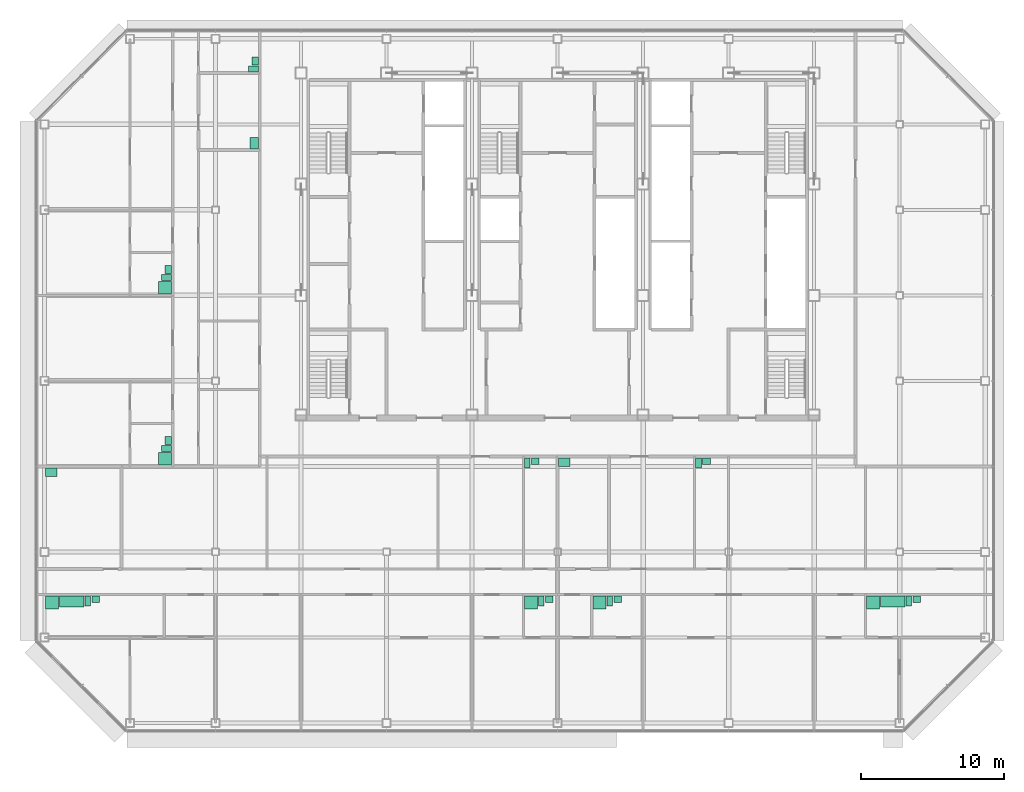
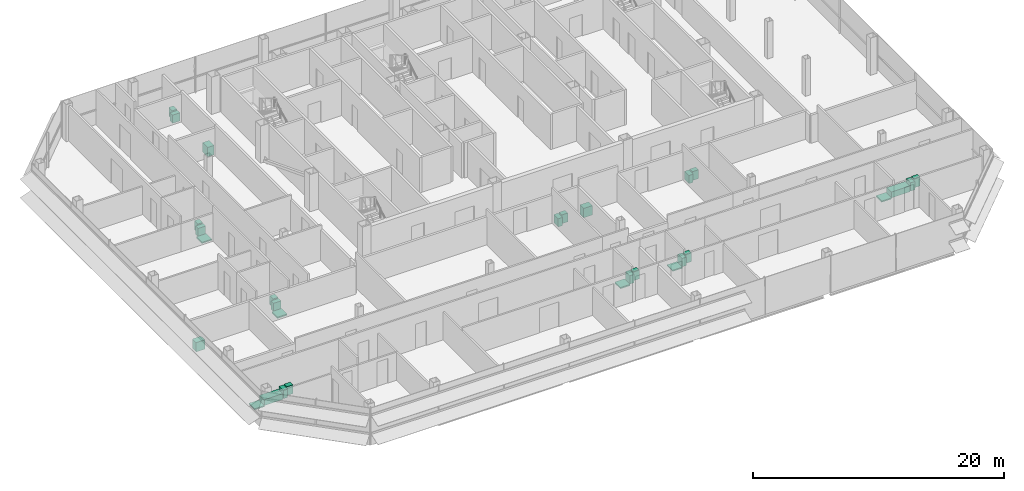
# One storey, part 28 of 28: 29 sanitary terminals.
"""IFC4 building model written with IfcOpenShell, lengths in metres."""

from ifc_helpers import new_model, si_unit, direction, frame, origin, origin_2d, place, context, subcontext, project, spatial, rectangle, extrude, element, save


model = new_model("IFC4")

# Units and contexts
model_context = context("Model", 3, precision=1e-05, world=origin(), true_north=direction((0.0, 1.0)))
body_context = subcontext(model_context, "Body", "Model", "MODEL_VIEW")
ifc_project = project(units=[si_unit("LENGTHUNIT", "METRE"), si_unit("AREAUNIT", "SQUARE_METRE"), si_unit("VOLUMEUNIT", "CUBIC_METRE"), si_unit("PLANEANGLEUNIT", "RADIAN"), si_unit("MASSUNIT", "GRAM", prefix="KILO")], contexts=[model_context])

# Site, building, storey
site_placement = place(None, origin())
site = spatial("IfcSite", under=ifc_project, at=site_placement, CompositionType="ELEMENT")
building_placement = place(site_placement, origin())
building = spatial("IfcBuilding", under=site, at=building_placement, Name="Sorahane Residences", CompositionType="ELEMENT")
storey_placement = place(building_placement, frame((0.0, 0.0, 266.60009765625)))
storey = spatial("IfcBuildingStorey", under=building, at=storey_placement, Name="L63", CompositionType="ELEMENT", Elevation=266.60009765625)

# Sanitary terminals
sanitary_terminal_1_placement = place(storey_placement, frame((-11.469970703125, 8.449951171875, -0.000244140625), z_axis=(0.0, 0.0, 1.0), x_axis=(1.0, 0.0, 0.0)))
element("IfcSanitaryTerminal", 1, at=sanitary_terminal_1_placement, inside=storey, Name="Shower tray En-suite bathroom 63A", PredefinedType="SHOWER", context=body_context, shape_type="SweptSolid", body=[
    extrude(rectangle(XDim=0.89990234375, YDim=0.89990234375, at=origin_2d()), origin(), (0.0, 0.0, 1.0), 0.1201171875),
])
sanitary_terminal_2_placement = place(storey_placement, frame((-10.090087890625, 8.52490234375, -0.000244140625), z_axis=(0.0, 0.0, 1.0), x_axis=(1.0, 0.0, 0.0)))
element("IfcSanitaryTerminal", 2, at=sanitary_terminal_2_placement, inside=storey, Name="Bath En-suite bathroom 63A", PredefinedType="BATH", context=body_context, shape_type="SweptSolid", body=[
    extrude(rectangle(XDim=1.699951171875, YDim=0.75, at=origin_2d()), origin(), (0.0, 0.0, 1.0), 0.56005859375),
])
sanitary_terminal_3_placement = place(storey_placement, frame((-8.9599609375, 8.550048828125, 0.0), z_axis=(0.0, 0.0, 1.0), x_axis=(1.0, 0.0, 0.0)))
element("IfcSanitaryTerminal", 3, at=sanitary_terminal_3_placement, inside=storey, Name="WC pan En-suite bathroom 63A", PredefinedType="TOILETPAN", context=body_context, shape_type="SweptSolid", body=[
    extrude(rectangle(XDim=0.39990234375, YDim=0.699951171875, at=origin_2d()), origin(), (0.0, 0.0, 1.0), 0.800048828125),
])
sanitary_terminal_4_placement = place(storey_placement, frame((-8.405029296875, 8.675048828125, -0.000244140625), z_axis=(0.0, 0.0, 1.0), x_axis=(1.0, 0.0, 0.0)))
element("IfcSanitaryTerminal", 4, at=sanitary_terminal_4_placement, inside=storey, Name="Wash basin En-suite bathroom 63A", PredefinedType="WASHHANDBASIN", context=body_context, shape_type="SweptSolid", body=[
    extrude(rectangle(XDim=0.550048828125, YDim=0.449951171875, at=origin_2d()), origin(), (0.0, 0.0, 1.0), 0.85009765625),
])
sanitary_terminal_5_placement = place(storey_placement, frame((22.1298828125, 8.449951171875, -0.000244140625), z_axis=(0.0, 0.0, 1.0), x_axis=(1.0, 0.0, 0.0)))
element("IfcSanitaryTerminal", 5, at=sanitary_terminal_5_placement, inside=storey, Name="Shower tray En-suite bathroom 63A-2", PredefinedType="SHOWER", context=body_context, shape_type="SweptSolid", body=[
    extrude(rectangle(XDim=0.89990234375, YDim=0.89990234375, at=origin_2d()), origin(), (0.0, 0.0, 1.0), 0.1201171875),
])
sanitary_terminal_6_placement = place(storey_placement, frame((22.860107421875, 8.550048828125, 0.0), z_axis=(0.0, 0.0, 1.0), x_axis=(1.0, 0.0, 0.0)))
element("IfcSanitaryTerminal", 6, at=sanitary_terminal_6_placement, inside=storey, Name="WC pan En-suite bathroom 63A-2", PredefinedType="TOILETPAN", context=body_context, shape_type="SweptSolid", body=[
    extrude(rectangle(XDim=0.39990234375, YDim=0.699951171875, at=origin_2d()), origin(), (0.0, 0.0, 1.0), 0.800048828125),
])
sanitary_terminal_7_placement = place(storey_placement, frame((23.4150390625, 8.675048828125, -0.000244140625), z_axis=(0.0, 0.0, 1.0), x_axis=(1.0, 0.0, 0.0)))
element("IfcSanitaryTerminal", 7, at=sanitary_terminal_7_placement, inside=storey, Name="Wash basin En-suite bathroom 63A-2", PredefinedType="WASHHANDBASIN", context=body_context, shape_type="SweptSolid", body=[
    extrude(rectangle(XDim=0.550048828125, YDim=0.449951171875, at=origin_2d()), origin(), (0.0, 0.0, 1.0), 0.85009765625),
])
sanitary_terminal_8_placement = place(storey_placement, frame((-11.52001953125, 17.60009765625, 0.0), z_axis=(0.0, 0.0, 1.0), x_axis=(1.0, 0.0, 0.0)))
element("IfcSanitaryTerminal", 8, at=sanitary_terminal_8_placement, inside=storey, Name="Kitchen sink Kitchen 63A", PredefinedType="SINK", context=body_context, shape_type="SweptSolid", body=[
    extrude(rectangle(XDim=0.800048828125, YDim=0.60009765625, at=origin_2d()), origin(), (0.0, 0.0, 1.0), 0.89990234375),
])
sanitary_terminal_9_placement = place(storey_placement, frame((21.8798828125, 18.25, 0.0), z_axis=(0.0, 0.0, 1.0), x_axis=(1.0, 0.0, 0.0)))
element("IfcSanitaryTerminal", 9, at=sanitary_terminal_9_placement, inside=storey, Name="WC pan Guest WC 63A", PredefinedType="TOILETPAN", context=body_context, shape_type="SweptSolid", body=[
    extrude(rectangle(XDim=0.39990234375, YDim=0.699951171875, at=origin_2d()), origin(), (0.0, 0.0, 1.0), 0.800048828125),
])
sanitary_terminal_10_placement = place(storey_placement, frame((22.43505859375, 18.375, -0.000244140625), z_axis=(0.0, 0.0, 1.0), x_axis=(1.0, 0.0, 0.0)))
element("IfcSanitaryTerminal", 10, at=sanitary_terminal_10_placement, inside=storey, Name="Wash basin Guest WC 63A", PredefinedType="WASHHANDBASIN", context=body_context, shape_type="SweptSolid", body=[
    extrude(rectangle(XDim=0.550048828125, YDim=0.449951171875, at=origin_2d()), origin(), (0.0, 0.0, 1.0), 0.85009765625),
])
sanitary_terminal_11_placement = place(storey_placement, frame((26.929931640625, 8.449951171875, -0.000244140625), z_axis=(0.0, 0.0, 1.0), x_axis=(1.0, 0.0, 0.0)))
element("IfcSanitaryTerminal", 11, at=sanitary_terminal_11_placement, inside=storey, Name="Shower tray En-suite bathroom 63B", PredefinedType="SHOWER", context=body_context, shape_type="SweptSolid", body=[
    extrude(rectangle(XDim=0.89990234375, YDim=0.89990234375, at=origin_2d()), origin(), (0.0, 0.0, 1.0), 0.1201171875),
])
sanitary_terminal_12_placement = place(storey_placement, frame((27.659912109375, 8.550048828125, 0.0), z_axis=(0.0, 0.0, 1.0), x_axis=(1.0, 0.0, 0.0)))
element("IfcSanitaryTerminal", 12, at=sanitary_terminal_12_placement, inside=storey, Name="WC pan En-suite bathroom 63B", PredefinedType="TOILETPAN", context=body_context, shape_type="SweptSolid", body=[
    extrude(rectangle(XDim=0.39990234375, YDim=0.699951171875, at=origin_2d()), origin(), (0.0, 0.0, 1.0), 0.800048828125),
])
sanitary_terminal_13_placement = place(storey_placement, frame((28.215087890625, 8.675048828125, -0.000244140625), z_axis=(0.0, 0.0, 1.0), x_axis=(1.0, 0.0, 0.0)))
element("IfcSanitaryTerminal", 13, at=sanitary_terminal_13_placement, inside=storey, Name="Wash basin En-suite bathroom 63B", PredefinedType="WASHHANDBASIN", context=body_context, shape_type="SweptSolid", body=[
    extrude(rectangle(XDim=0.550048828125, YDim=0.449951171875, at=origin_2d()), origin(), (0.0, 0.0, 1.0), 0.85009765625),
])
sanitary_terminal_14_placement = place(storey_placement, frame((46.1298828125, 8.449951171875, -0.000244140625), z_axis=(0.0, 0.0, 1.0), x_axis=(1.0, 0.0, 0.0)))
element("IfcSanitaryTerminal", 14, at=sanitary_terminal_14_placement, inside=storey, Name="Shower tray En-suite bathroom 63B-2", PredefinedType="SHOWER", context=body_context, shape_type="SweptSolid", body=[
    extrude(rectangle(XDim=0.89990234375, YDim=0.89990234375, at=origin_2d()), origin(), (0.0, 0.0, 1.0), 0.1201171875),
])
sanitary_terminal_15_placement = place(storey_placement, frame((47.510009765625, 8.52490234375, -0.000244140625), z_axis=(0.0, 0.0, 1.0), x_axis=(1.0, 0.0, 0.0)))
element("IfcSanitaryTerminal", 15, at=sanitary_terminal_15_placement, inside=storey, Name="Bath En-suite bathroom 63B-2", PredefinedType="BATH", context=body_context, shape_type="SweptSolid", body=[
    extrude(rectangle(XDim=1.699951171875, YDim=0.75, at=origin_2d()), origin(), (0.0, 0.0, 1.0), 0.56005859375),
])
sanitary_terminal_16_placement = place(storey_placement, frame((48.639892578125, 8.550048828125, 0.0), z_axis=(0.0, 0.0, 1.0), x_axis=(1.0, 0.0, 0.0)))
element("IfcSanitaryTerminal", 16, at=sanitary_terminal_16_placement, inside=storey, Name="WC pan En-suite bathroom 63B-2", PredefinedType="TOILETPAN", context=body_context, shape_type="SweptSolid", body=[
    extrude(rectangle(XDim=0.39990234375, YDim=0.699951171875, at=origin_2d()), origin(), (0.0, 0.0, 1.0), 0.800048828125),
])
sanitary_terminal_17_placement = place(storey_placement, frame((49.195068359375, 8.675048828125, -0.000244140625), z_axis=(0.0, 0.0, 1.0), x_axis=(1.0, 0.0, 0.0)))
element("IfcSanitaryTerminal", 17, at=sanitary_terminal_17_placement, inside=storey, Name="Wash basin En-suite bathroom 63B-2", PredefinedType="WASHHANDBASIN", context=body_context, shape_type="SweptSolid", body=[
    extrude(rectangle(XDim=0.550048828125, YDim=0.449951171875, at=origin_2d()), origin(), (0.0, 0.0, 1.0), 0.85009765625),
])
sanitary_terminal_18_placement = place(storey_placement, frame((24.47998046875, 18.300048828125, 0.0), z_axis=(0.0, 0.0, 1.0), x_axis=(1.0, 0.0, 0.0)))
element("IfcSanitaryTerminal", 18, at=sanitary_terminal_18_placement, inside=storey, Name="Kitchen sink Kitchen 63B", PredefinedType="SINK", context=body_context, shape_type="SweptSolid", body=[
    extrude(rectangle(XDim=0.800048828125, YDim=0.60009765625, at=origin_2d()), origin(), (0.0, 0.0, 1.0), 0.89990234375),
])
sanitary_terminal_19_placement = place(storey_placement, frame((33.8798828125, 18.25, 0.0), z_axis=(0.0, 0.0, 1.0), x_axis=(1.0, 0.0, 0.0)))
element("IfcSanitaryTerminal", 19, at=sanitary_terminal_19_placement, inside=storey, Name="WC pan Guest WC 63B", PredefinedType="TOILETPAN", context=body_context, shape_type="SweptSolid", body=[
    extrude(rectangle(XDim=0.39990234375, YDim=0.699951171875, at=origin_2d()), origin(), (0.0, 0.0, 1.0), 0.800048828125),
])
sanitary_terminal_20_placement = place(storey_placement, frame((34.43505859375, 18.375, -0.000244140625), z_axis=(0.0, 0.0, 1.0), x_axis=(1.0, 0.0, 0.0)))
element("IfcSanitaryTerminal", 20, at=sanitary_terminal_20_placement, inside=storey, Name="Wash basin Guest WC 63B", PredefinedType="WASHHANDBASIN", context=body_context, shape_type="SweptSolid", body=[
    extrude(rectangle(XDim=0.550048828125, YDim=0.449951171875, at=origin_2d()), origin(), (0.0, 0.0, 1.0), 0.85009765625),
])
sanitary_terminal_21_placement = place(storey_placement, frame((-3.550048828125, 18.530029296875, -0.000244140625), z_axis=(0.0, 0.0, 1.0), x_axis=(0.0, -1.0, 0.0)))
element("IfcSanitaryTerminal", 21, at=sanitary_terminal_21_placement, inside=storey, Name="Shower tray En-suite bathroom 63C", PredefinedType="SHOWER", context=body_context, shape_type="SweptSolid", body=[
    extrude(rectangle(XDim=0.89990234375, YDim=0.89990234375, at=origin_2d()), origin(), (0.0, 0.0, 1.0), 0.1201171875),
])
sanitary_terminal_22_placement = place(storey_placement, frame((-3.449951171875, 19.260009765625, 0.0), z_axis=(0.0, 0.0, 1.0), x_axis=(0.0, -1.0, 0.0)))
element("IfcSanitaryTerminal", 22, at=sanitary_terminal_22_placement, inside=storey, Name="WC pan En-suite bathroom 63C", PredefinedType="TOILETPAN", context=body_context, shape_type="SweptSolid", body=[
    extrude(rectangle(XDim=0.39990234375, YDim=0.699951171875, at=origin_2d()), origin(), (0.0, 0.0, 1.0), 0.800048828125),
])
sanitary_terminal_23_placement = place(storey_placement, frame((-3.324951171875, 19.81494140625, -0.000244140625), z_axis=(0.0, 0.0, 1.0), x_axis=(0.0, -1.0, 0.0)))
element("IfcSanitaryTerminal", 23, at=sanitary_terminal_23_placement, inside=storey, Name="Wash basin En-suite bathroom 63C", PredefinedType="WASHHANDBASIN", context=body_context, shape_type="SweptSolid", body=[
    extrude(rectangle(XDim=0.550048828125, YDim=0.449951171875, at=origin_2d()), origin(), (0.0, 0.0, 1.0), 0.85009765625),
])
sanitary_terminal_24_placement = place(storey_placement, frame((-3.550048828125, 30.530029296875, -0.000244140625), z_axis=(0.0, 0.0, 1.0), x_axis=(0.0, -1.0, 0.0)))
element("IfcSanitaryTerminal", 24, at=sanitary_terminal_24_placement, inside=storey, Name="Shower tray En-suite bathroom 63C-2", PredefinedType="SHOWER", context=body_context, shape_type="SweptSolid", body=[
    extrude(rectangle(XDim=0.89990234375, YDim=0.89990234375, at=origin_2d()), origin(), (0.0, 0.0, 1.0), 0.1201171875),
])
sanitary_terminal_25_placement = place(storey_placement, frame((-3.449951171875, 31.260009765625, 0.0), z_axis=(0.0, 0.0, 1.0), x_axis=(0.0, -1.0, 0.0)))
element("IfcSanitaryTerminal", 25, at=sanitary_terminal_25_placement, inside=storey, Name="WC pan En-suite bathroom 63C-2", PredefinedType="TOILETPAN", context=body_context, shape_type="SweptSolid", body=[
    extrude(rectangle(XDim=0.39990234375, YDim=0.699951171875, at=origin_2d()), origin(), (0.0, 0.0, 1.0), 0.800048828125),
])
sanitary_terminal_26_placement = place(storey_placement, frame((-3.324951171875, 31.81494140625, -0.000244140625), z_axis=(0.0, 0.0, 1.0), x_axis=(0.0, -1.0, 0.0)))
element("IfcSanitaryTerminal", 26, at=sanitary_terminal_26_placement, inside=storey, Name="Wash basin En-suite bathroom 63C-2", PredefinedType="WASHHANDBASIN", context=body_context, shape_type="SweptSolid", body=[
    extrude(rectangle(XDim=0.550048828125, YDim=0.449951171875, at=origin_2d()), origin(), (0.0, 0.0, 1.0), 0.85009765625),
])
sanitary_terminal_27_placement = place(storey_placement, frame((2.699951171875, 40.679931640625, 0.0), z_axis=(0.0, 0.0, 1.0), x_axis=(0.0, -1.0, 0.0)))
element("IfcSanitaryTerminal", 27, at=sanitary_terminal_27_placement, inside=storey, Name="Kitchen sink Kitchen 63C", PredefinedType="SINK", context=body_context, shape_type="SweptSolid", body=[
    extrude(rectangle(XDim=0.800048828125, YDim=0.60009765625, at=origin_2d()), origin(), (0.0, 0.0, 1.0), 0.89990234375),
])
sanitary_terminal_28_placement = place(storey_placement, frame((2.64990234375, 45.8798828125, 0.0), z_axis=(0.0, 0.0, 1.0), x_axis=(0.0, -1.0, 0.0)))
element("IfcSanitaryTerminal", 28, at=sanitary_terminal_28_placement, inside=storey, Name="WC pan Powder room 63C", PredefinedType="TOILETPAN", context=body_context, shape_type="SweptSolid", body=[
    extrude(rectangle(XDim=0.39990234375, YDim=0.699951171875, at=origin_2d()), origin(), (0.0, 0.0, 1.0), 0.800048828125),
])
sanitary_terminal_29_placement = place(storey_placement, frame((2.77490234375, 46.43505859375, -0.000244140625), z_axis=(0.0, 0.0, 1.0), x_axis=(0.0, -1.0, 0.0)))
element("IfcSanitaryTerminal", 29, at=sanitary_terminal_29_placement, inside=storey, Name="Wash basin Powder room 63C", PredefinedType="WASHHANDBASIN", context=body_context, shape_type="SweptSolid", body=[
    extrude(rectangle(XDim=0.550048828125, YDim=0.449951171875, at=origin_2d()), origin(), (0.0, 0.0, 1.0), 0.85009765625),
])

save(model, "model.ifc")
